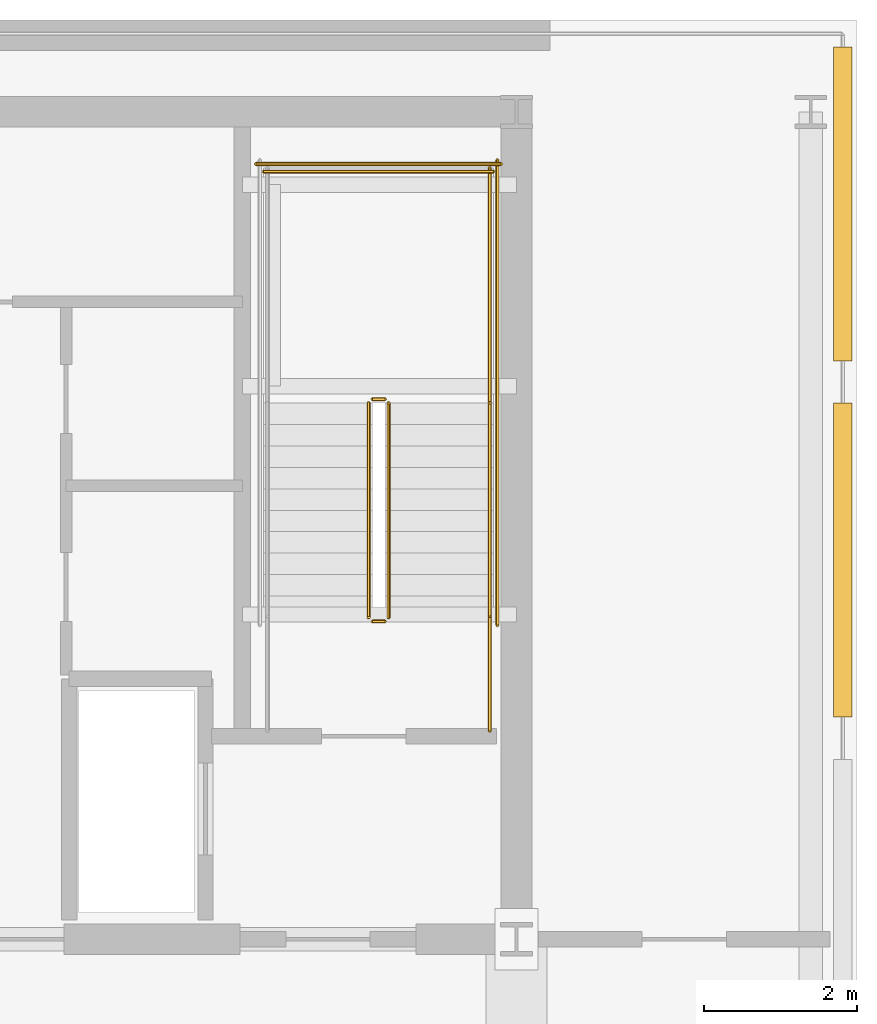
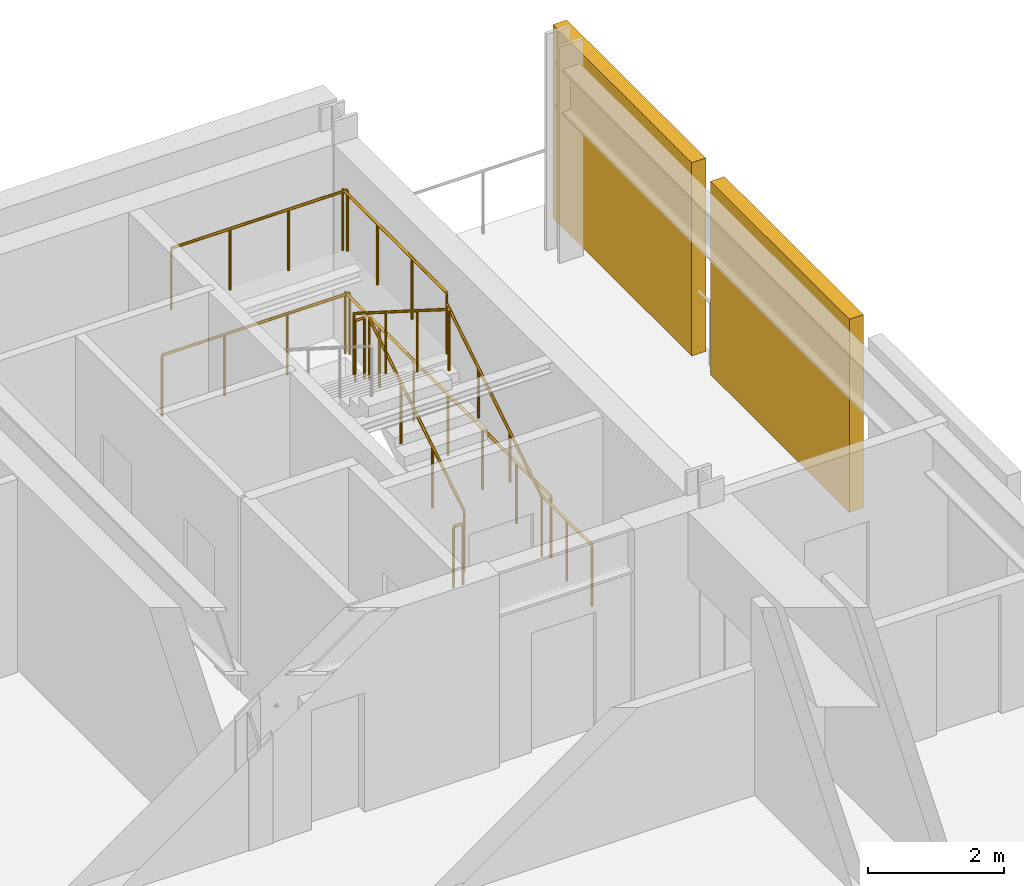
# One storey, part 8 of 8: 10 railings, 2 shading devices.
"""IFC4 building model written with IfcOpenShell, lengths in metres."""

from ifc_helpers import new_model, si_unit, direction, frame, origin, origin_2d, place, context, subcontext, project, spatial, rectangle, circle, extrude, material, layer, layer_set, type_object, element, save


model = new_model("IFC4")

# Units and contexts
model_context = context("Model", 3, precision=1e-05, world=origin(), true_north=direction((0.0, 1.0)))
body_context = subcontext(model_context, "Body", "Model", "MODEL_VIEW")
ifc_project = project(units=[si_unit("LENGTHUNIT", "METRE"), si_unit("AREAUNIT", "SQUARE_METRE"), si_unit("VOLUMEUNIT", "CUBIC_METRE"), si_unit("PLANEANGLEUNIT", "RADIAN"), si_unit("MASSUNIT", "GRAM", prefix="KILO")], contexts=[model_context])

# Site, building, storey
site_placement = place(None, origin())
site = spatial("IfcSite", under=ifc_project, at=site_placement, CompositionType="ELEMENT")
building_placement = place(site_placement, origin())
building = spatial("IfcBuilding", under=site, at=building_placement, Name="Yelkora Congress Tower", CompositionType="ELEMENT")
storey_placement = place(building_placement, frame((0.0, 0.0, 255.199951171875)))
storey = spatial("IfcBuildingStorey", under=building, at=storey_placement, Name="L71", CompositionType="ELEMENT", Elevation=255.199951171875)

# Railings
ifc_material_1 = material(Name="Painted galvanised steel stair well guard with vertical infill", Category="steel")
ifc_layer_1 = layer(ifc_material_1, 0.06005859375)
ifc_layer_set_1 = layer_set([ifc_layer_1], Name="Painted galvanised steel stair well guard with vertical infill")
railing_type_1 = type_object("IfcRailingType", Name="RAIL-STAIR-GUARD-1120", PredefinedType="GUARDRAIL", material=ifc_layer_set_1)
railing_1_placement = place(storey_placement, frame((52.090087890625, 39.60009765625, 0.17724609375)))
element("IfcRailing", 1, at=railing_1_placement, inside=storey, type_object=railing_type_1, Name="ST-02 L71 Stair Well Guardrail 1", PredefinedType="GUARDRAIL", context=body_context, shape_type="SweptSolid", body=[
    extrude(circle(Radius=0.02392578125, at=origin_2d()), frame((0.0, 0.0, 1.09619140625), z_axis=(0.0, 0.844887892834, 0.53494340686), x_axis=(-1.0, 0.0, 0.0)), (0.0, 0.0, 1.0), 3.313720703125),
    extrude(circle(Radius=0.02099609375, at=origin_2d()), origin(), (0.0, 0.0, 1.0), 1.072021484375),
    extrude(circle(Radius=0.02099609375, at=origin_2d()), frame((0.0, 0.933349609375, 0.5908203125)), (0.0, 0.0, 1.0), 1.072021484375),
    extrude(circle(Radius=0.02099609375, at=origin_2d()), frame((0.0, 1.866455078125, 1.181884765625)), (0.0, 0.0, 1.0), 1.072021484375),
    extrude(circle(Radius=0.02099609375, at=origin_2d()), frame((0.0, 2.7998046875, 1.772705078125)), (0.0, 0.0, 1.0), 1.072021484375),
])
railing_2_placement = place(storey_placement, frame((52.0400390625, 42.449951171875, 1.949951171875)))
element("IfcRailing", 2, at=railing_2_placement, inside=storey, type_object=railing_type_1, Name="ST-02 L71 Stair Well Guardrail 2", PredefinedType="GUARDRAIL", context=body_context, shape_type="SweptSolid", body=[
    extrude(circle(Radius=0.02392578125, at=origin_2d()), frame((0.0, 0.0, 1.09619140625), z_axis=(-1.0, 0.0, 0.0), x_axis=(0.0, -1.0, 0.0)), (0.0, 0.0, 1.0), 0.16015625),
    extrude(circle(Radius=0.02099609375, at=origin_2d()), origin(), (0.0, 0.0, 1.0), 1.072021484375),
    extrude(circle(Radius=0.02099609375, at=origin_2d()), frame((-0.16015625, 0.0, 0.0)), (0.0, 0.0, 1.0), 1.072021484375),
])
railing_3_placement = place(storey_placement, frame((53.409912109375, 42.39990234375, 1.949951171875)))
element("IfcRailing", 3, at=railing_3_placement, inside=storey, type_object=railing_type_1, Name="ST-02 L71 Stair Well Guardrail 3", PredefinedType="GUARDRAIL", context=body_context, shape_type="SweptSolid", body=[
    extrude(circle(Radius=0.02392578125, at=origin_2d()), frame((0.0, 0.0, 1.09619140625), z_axis=(0.0, 1.0, 0.0), x_axis=(-1.0, 0.0, 0.0)), (0.0, 0.0, 1.0), 3.070068359375),
    extrude(circle(Radius=0.02099609375, at=origin_2d()), origin(), (0.0, 0.0, 1.0), 1.072021484375),
    extrude(circle(Radius=0.02099609375, at=origin_2d()), frame((0.0, 1.0234375, 0.0)), (0.0, 0.0, 1.0), 1.072021484375),
    extrude(circle(Radius=0.02099609375, at=origin_2d()), frame((0.0, 2.046630859375, 0.0)), (0.0, 0.0, 1.0), 1.072021484375),
    extrude(circle(Radius=0.02099609375, at=origin_2d()), frame((0.0, 3.070068359375, 0.0)), (0.0, 0.0, 1.0), 1.072021484375),
])
railing_4_placement = place(storey_placement, frame((53.4599609375, 45.419921875, 1.949951171875)))
element("IfcRailing", 4, at=railing_4_placement, inside=storey, type_object=railing_type_1, Name="ST-02 L71 Stair Well Guardrail 5", PredefinedType="GUARDRAIL", context=body_context, shape_type="SweptSolid", body=[
    extrude(circle(Radius=0.02392578125, at=origin_2d()), frame((0.0, 0.0, 1.09619140625), z_axis=(-1.0, 0.0, 0.0), x_axis=(0.0, -1.0, 0.0)), (0.0, 0.0, 1.0), 3.0),
    extrude(circle(Radius=0.02099609375, at=origin_2d()), origin(), (0.0, 0.0, 1.0), 1.072021484375),
    extrude(circle(Radius=0.02099609375, at=origin_2d()), frame((-1.0, 0.0, 0.0)), (0.0, 0.0, 1.0), 1.072021484375),
    extrude(circle(Radius=0.02099609375, at=origin_2d()), frame((-2.0, 0.0, 0.0)), (0.0, 0.0, 1.0), 1.072021484375),
    extrude(circle(Radius=0.02099609375, at=origin_2d()), frame((-3.0, 0.0, 0.0)), (0.0, 0.0, 1.0), 1.072021484375),
])
railing_5_placement = place(storey_placement, frame((51.830078125, 42.39990234375, 2.12744140625)))
element("IfcRailing", 5, at=railing_5_placement, inside=storey, type_object=railing_type_1, Name="ST-02 L71 Stair Well Guardrail 6", PredefinedType="GUARDRAIL", context=body_context, shape_type="SweptSolid", body=[
    extrude(circle(Radius=0.02392578125, at=origin_2d()), frame((0.0, 0.0, 1.09619140625), z_axis=(0.0, -0.844887892834, 0.53494340686), x_axis=(1.0, 0.0, 0.0)), (0.0, 0.0, 1.0), 3.313720703125),
    extrude(circle(Radius=0.02099609375, at=origin_2d()), origin(), (0.0, 0.0, 1.0), 1.072021484375),
    extrude(circle(Radius=0.02099609375, at=origin_2d()), frame((0.0, -0.933349609375, 0.5908203125)), (0.0, 0.0, 1.0), 1.072021484375),
    extrude(circle(Radius=0.02099609375, at=origin_2d()), frame((0.0, -1.866455078125, 1.181884765625)), (0.0, 0.0, 1.0), 1.072021484375),
    extrude(circle(Radius=0.02099609375, at=origin_2d()), frame((0.0, -2.7998046875, 1.772705078125)), (0.0, 0.0, 1.0), 1.072021484375),
])
railing_6_placement = place(storey_placement, frame((52.0400390625, 39.550048828125, 0.0)))
element("IfcRailing", 6, at=railing_6_placement, inside=storey, type_object=railing_type_1, Name="ST-02 L71 Stair Well Guardrail 7", PredefinedType="GUARDRAIL", context=body_context, shape_type="SweptSolid", body=[
    extrude(circle(Radius=0.02392578125, at=origin_2d()), frame((0.0, 0.0, 1.09619140625), z_axis=(-1.0, 0.0, 0.0), x_axis=(0.0, -1.0, 0.0)), (0.0, 0.0, 1.0), 0.16015625),
    extrude(circle(Radius=0.02099609375, at=origin_2d()), origin(), (0.0, 0.0, 1.0), 1.072021484375),
    extrude(circle(Radius=0.02099609375, at=origin_2d()), frame((-0.16015625, 0.0, 0.0)), (0.0, 0.0, 1.0), 1.072021484375),
])
railing_7_placement = place(storey_placement, frame((53.409912109375, 38.1201171875, 0.0)))
element("IfcRailing", 7, at=railing_7_placement, inside=storey, type_object=railing_type_1, Name="ST-02 L71 Stair Well Guardrail 8", PredefinedType="GUARDRAIL", context=body_context, shape_type="SweptSolid", body=[
    extrude(circle(Radius=0.02392578125, at=origin_2d()), frame((0.0, 0.0, 1.09619140625), z_axis=(0.0, 1.0, 0.0), x_axis=(-1.0, 0.0, 0.0)), (0.0, 0.0, 1.0), 1.47998046875),
    extrude(circle(Radius=0.02099609375, at=origin_2d()), origin(), (0.0, 0.0, 1.0), 1.072021484375),
    extrude(circle(Radius=0.02099609375, at=origin_2d()), frame((0.0, 0.739990234375, 0.0)), (0.0, 0.0, 1.0), 1.072021484375),
    extrude(circle(Radius=0.02099609375, at=origin_2d()), frame((0.0, 1.47998046875, 0.0)), (0.0, 0.0, 1.0), 1.072021484375),
])
railing_8_placement = place(storey_placement, frame((53.510009765625, 39.5, 0.0)))
element("IfcRailing", 8, at=railing_8_placement, inside=storey, type_object=railing_type_1, Name="ST-02 L71 Stair Well Guardrail 10", PredefinedType="GUARDRAIL", context=body_context, shape_type="SweptSolid", body=[
    extrude(circle(Radius=0.02392578125, at=origin_2d()), frame((0.0, 0.0, 1.09619140625), z_axis=(0.0, 1.0, 0.0), x_axis=(-1.0, 0.0, 0.0)), (0.0, 0.0, 1.0), 6.070068359375),
    extrude(circle(Radius=0.02099609375, at=origin_2d()), origin(), (0.0, 0.0, 1.0), 1.072021484375),
    extrude(circle(Radius=0.02099609375, at=origin_2d()), frame((0.0, 1.01171875, 0.0)), (0.0, 0.0, 1.0), 1.072021484375),
    extrude(circle(Radius=0.02099609375, at=origin_2d()), frame((0.0, 2.0234375, 0.0)), (0.0, 0.0, 1.0), 1.072021484375),
    extrude(circle(Radius=0.02099609375, at=origin_2d()), frame((0.0, 3.03515625, 0.0)), (0.0, 0.0, 1.0), 1.072021484375),
    extrude(circle(Radius=0.02099609375, at=origin_2d()), frame((0.0, 4.046630859375, 0.0)), (0.0, 0.0, 1.0), 1.072021484375),
    extrude(circle(Radius=0.02099609375, at=origin_2d()), frame((0.0, 5.058349609375, 0.0)), (0.0, 0.0, 1.0), 1.072021484375),
    extrude(circle(Radius=0.02099609375, at=origin_2d()), frame((0.0, 6.070068359375, 0.0)), (0.0, 0.0, 1.0), 1.072021484375),
])
railing_9_placement = place(storey_placement, frame((53.56005859375, 45.52001953125, 0.0)))
element("IfcRailing", 9, at=railing_9_placement, inside=storey, type_object=railing_type_1, Name="ST-02 L71 Stair Well Guardrail 12", PredefinedType="GUARDRAIL", context=body_context, shape_type="SweptSolid", body=[
    extrude(circle(Radius=0.02392578125, at=origin_2d()), frame((0.0, 0.0, 1.09619140625), z_axis=(-1.0, 0.0, 0.0), x_axis=(0.0, -1.0, 0.0)), (0.0, 0.0, 1.0), 3.199951171875),
    extrude(circle(Radius=0.02099609375, at=origin_2d()), origin(), (0.0, 0.0, 1.0), 1.072021484375),
    extrude(circle(Radius=0.02099609375, at=origin_2d()), frame((-1.066650390625, 0.0, 0.0)), (0.0, 0.0, 1.0), 1.072021484375),
    extrude(circle(Radius=0.02099609375, at=origin_2d()), frame((-2.13330078125, 0.0, 0.0)), (0.0, 0.0, 1.0), 1.072021484375),
    extrude(circle(Radius=0.02099609375, at=origin_2d()), frame((-3.199951171875, 0.0, 0.0)), (0.0, 0.0, 1.0), 1.072021484375),
])
ifc_material_2 = material(Name="Brushed stainless steel tubular handrail", Category="steel")
ifc_layer_2 = layer(ifc_material_2, 0.050048828125)
ifc_layer_set_2 = layer_set([ifc_layer_2], Name="Brushed stainless steel tubular handrail")
railing_type_2 = type_object("IfcRailingType", Name="RAIL-STAIR-HAND-920", PredefinedType="HANDRAIL", material=ifc_layer_set_2)
railing_10_placement = place(storey_placement, frame((53.409912109375, 39.60009765625, 0.17724609375)))
element("IfcRailing", 10, at=railing_10_placement, inside=storey, type_object=railing_type_2, Name="ST-02 L71 Pitch Handrail 1", PredefinedType="HANDRAIL", context=body_context, shape_type="SweptSolid", body=[
    extrude(circle(Radius=0.02392578125, at=origin_2d()), frame((0.0, 0.0, 0.89599609375), z_axis=(0.0, 0.844887892834, 0.53494340686), x_axis=(-1.0, 0.0, 0.0)), (0.0, 0.0, 1.0), 3.313720703125),
    extrude(circle(Radius=0.02099609375, at=origin_2d()), origin(), (0.0, 0.0, 1.0), 0.871826171875),
    extrude(circle(Radius=0.02099609375, at=origin_2d()), frame((0.0, 0.933349609375, 0.5908203125)), (0.0, 0.0, 1.0), 0.871826171875),
    extrude(circle(Radius=0.02099609375, at=origin_2d()), frame((0.0, 1.866455078125, 1.181884765625)), (0.0, 0.0, 1.0), 0.871826171875),
    extrude(circle(Radius=0.02099609375, at=origin_2d()), frame((0.0, 2.7998046875, 1.772705078125)), (0.0, 0.0, 1.0), 0.871826171875),
])

# Shading devices
ifc_material_3 = material(Name="Perforated anodised aluminium louvre", Category="aluminium")
ifc_layer_3 = layer(ifc_material_3, 3.39990234375)
ifc_layer_set_3 = layer_set([ifc_layer_3], Name="Perforated anodised aluminium louvre")
shading_device_type = type_object("IfcShadingDeviceType", Name="SHD-LOUVRE-WIND", PredefinedType="JALOUSIE", material=ifc_layer_set_3)
for number, where, z_axis, x_axis, name in (
    (11, (58.02001953125, 40.35009765625, 0.0), (0.0, 0.0, 1.0), (1.0, 0.0, 0.0), "L71 Acoustic Wind-Floor Louvre Screen E4"),
    (12, (58.02001953125, 45.0, 0.0), (0.0, 0.0, 1.0), (1.0, 0.0, 0.0), "L71 Acoustic Wind-Floor Louvre Screen E5"),
):
    element("IfcShadingDevice", number, at=place(storey_placement, frame(where, z_axis=z_axis, x_axis=x_axis)), inside=storey, type_object=shading_device_type, Name=name, PredefinedType="JALOUSIE", context=body_context, shape_type="SweptSolid", body=[
        extrude(rectangle(XDim=0.239990234375, YDim=4.10009765625, at=origin_2d()), origin(), (0.0, 0.0, 1.0), 3.47998046875),
    ])

save(model, "model.ifc")
